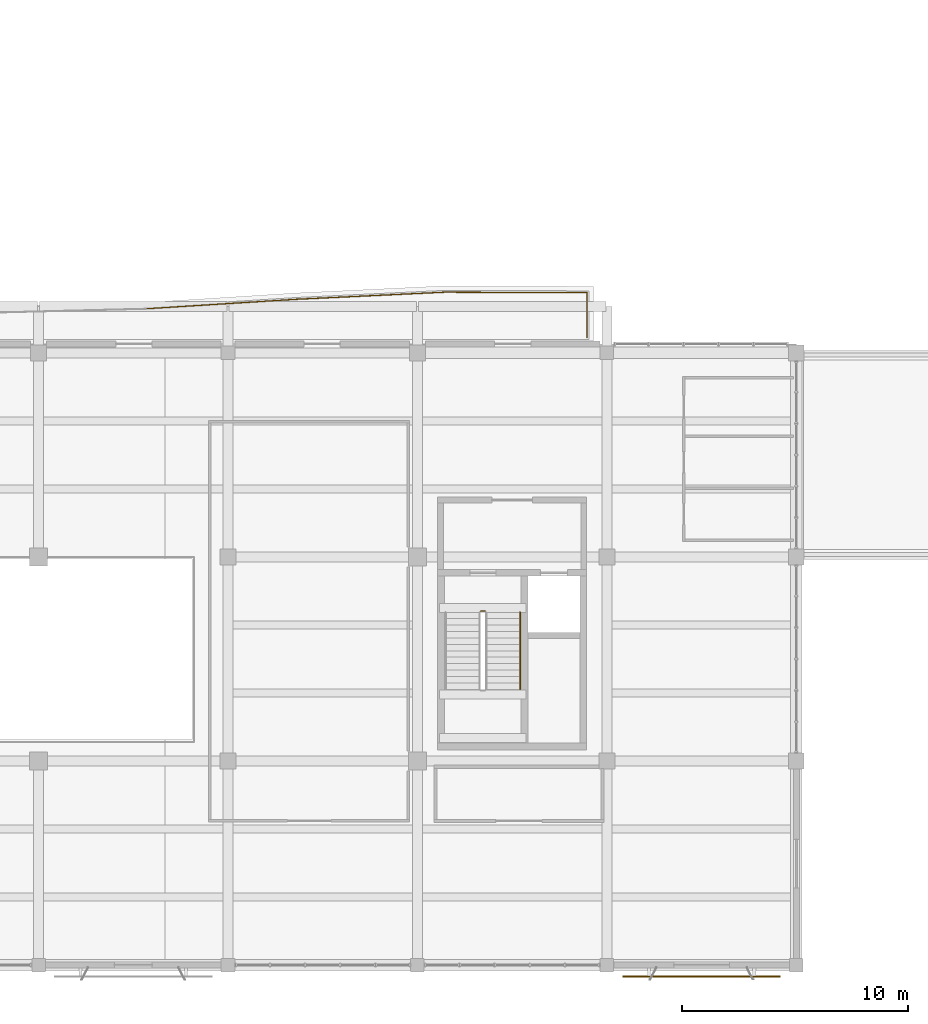
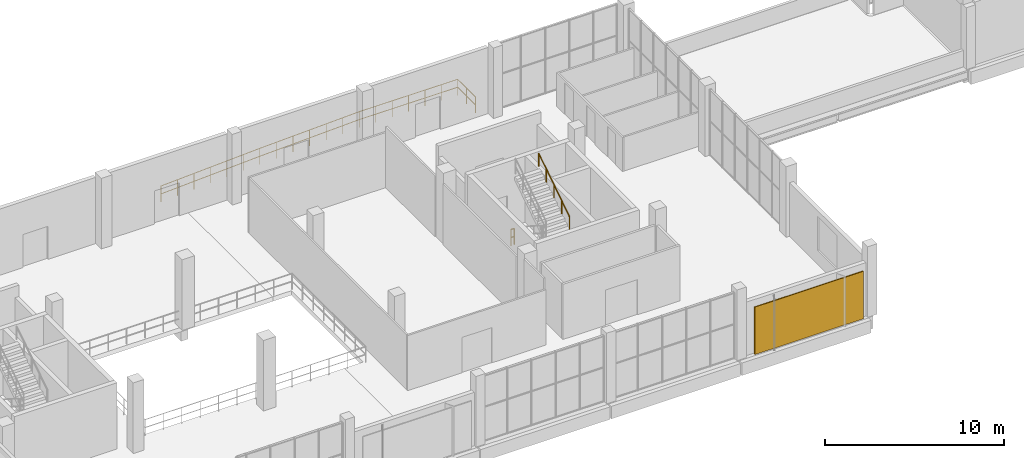
# One storey, part 73 of 80: 6 railings, 1 shading device.
"""IFC4 building model written with IfcOpenShell, lengths in metres."""

from ifc_helpers import new_model, si_unit, direction, frame, origin, origin_2d, place, context, subcontext, project, spatial, rectangle, circle, extrude, material, layer, layer_set, type_object, element, save


model = new_model("IFC4")

# Units and contexts
model_context = context("Model", 3, precision=1e-05, world=origin(), true_north=direction((0.0, 1.0)))
body_context = subcontext(model_context, "Body", "Model", "MODEL_VIEW")
ifc_project = project(units=[si_unit("LENGTHUNIT", "METRE"), si_unit("AREAUNIT", "SQUARE_METRE"), si_unit("VOLUMEUNIT", "CUBIC_METRE"), si_unit("PLANEANGLEUNIT", "RADIAN"), si_unit("MASSUNIT", "GRAM", prefix="KILO")], contexts=[model_context])

# Site, building, storey
site_placement = place(None, origin())
site = spatial("IfcSite", under=ifc_project, at=site_placement, CompositionType="ELEMENT")
building_placement = place(site_placement, origin())
building = spatial("IfcBuilding", under=site, at=building_placement, Name="Khurvash Pelagic Aquarium", CompositionType="ELEMENT")
storey_placement = place(building_placement, frame((0.0, 0.0, 10.800048828125)))
storey = spatial("IfcBuildingStorey", under=building, at=storey_placement, Name="L02", CompositionType="ELEMENT", Elevation=10.800048828125)

# Railings
ifc_material_1 = material(Name="Laminated glass and stainless steel 316", Category="steel")
railing_type_1 = type_object("IfcRailingType", Name="BL-01", PredefinedType="BALUSTRADE", material=ifc_material_1)
railing_1_placement = place(storey_placement, frame((80.41796875, 31.708984375, 0.0)))
element("IfcRailing", 1, at=railing_1_placement, inside=storey, type_object=railing_type_1, Name="L02 Planted Terrace Perimeter Balustrade BL-01 0024", PredefinedType="BALUSTRADE", context=body_context, shape_type="SweptSolid", body=[
    extrude(circle(Radius=0.02392578125, at=origin_2d()), frame((0.0, 0.0, 1.076171875), z_axis=(0.998018230508, 0.062925444564, 0.0), x_axis=(-0.062925444564, 0.998018230508, 0.0)), (0.0, 0.0, 1.0), 6.611328125),
    extrude(circle(Radius=0.02392578125, at=origin_2d()), frame((0.0, 0.0, 0.5380859375), z_axis=(0.998018230508, 0.062925444564, 0.0), x_axis=(-0.062925444564, 0.998018230508, 0.0)), (0.0, 0.0, 1.0), 6.611328125),
    extrude(circle(Radius=0.02099609375, at=origin_2d()), origin(), (0.0, 0.0, 1.0), 1.052001953125),
    extrude(circle(Radius=0.02099609375, at=origin_2d()), frame((1.099609375, 0.0693359375, 0.0)), (0.0, 0.0, 1.0), 1.052001953125),
    extrude(circle(Radius=0.02099609375, at=origin_2d()), frame((2.199462890625, 0.138671875, 0.0)), (0.0, 0.0, 1.0), 1.052001953125),
    extrude(circle(Radius=0.02099609375, at=origin_2d()), frame((3.299072265625, 0.2080078125, 0.0)), (0.0, 0.0, 1.0), 1.052001953125),
    extrude(circle(Radius=0.02099609375, at=origin_2d()), frame((4.398681640625, 0.27734375, 0.0)), (0.0, 0.0, 1.0), 1.052001953125),
    extrude(circle(Radius=0.02099609375, at=origin_2d()), frame((5.49853515625, 0.3466796875, 0.0)), (0.0, 0.0, 1.0), 1.052001953125),
    extrude(circle(Radius=0.02099609375, at=origin_2d()), frame((6.59814453125, 0.416015625, 0.0)), (0.0, 0.0, 1.0), 1.052001953125),
])
railing_2_placement = place(storey_placement, frame((87.01611328125, 32.125, 0.0)))
element("IfcRailing", 2, at=railing_2_placement, inside=storey, type_object=railing_type_1, Name="L02 Planted Terrace Perimeter Balustrade BL-01 0025", PredefinedType="BALUSTRADE", context=body_context, shape_type="SweptSolid", body=[
    extrude(circle(Radius=0.02392578125, at=origin_2d()), frame((0.0, 0.0, 1.076171875), z_axis=(0.998852848905, 0.047885135836, 0.0), x_axis=(-0.047885135836, 0.998852848905, 0.0)), (0.0, 0.0, 1.0), 6.597412109375),
    extrude(circle(Radius=0.02392578125, at=origin_2d()), frame((0.0, 0.0, 0.5380859375), z_axis=(0.998852848905, 0.047885135836, 0.0), x_axis=(-0.047885135836, 0.998852848905, 0.0)), (0.0, 0.0, 1.0), 6.597412109375),
    extrude(circle(Radius=0.02099609375, at=origin_2d()), origin(), (0.0, 0.0, 1.0), 1.052001953125),
    extrude(circle(Radius=0.02099609375, at=origin_2d()), frame((1.098388671875, 0.052734375, 0.0)), (0.0, 0.0, 1.0), 1.052001953125),
    extrude(circle(Radius=0.02099609375, at=origin_2d()), frame((2.196533203125, 0.105224609375, 0.0)), (0.0, 0.0, 1.0), 1.052001953125),
    extrude(circle(Radius=0.02099609375, at=origin_2d()), frame((3.294921875, 0.157958984375, 0.0)), (0.0, 0.0, 1.0), 1.052001953125),
    extrude(circle(Radius=0.02099609375, at=origin_2d()), frame((4.393310546875, 0.210693359375, 0.0)), (0.0, 0.0, 1.0), 1.052001953125),
    extrude(circle(Radius=0.02099609375, at=origin_2d()), frame((5.491455078125, 0.26318359375, 0.0)), (0.0, 0.0, 1.0), 1.052001953125),
    extrude(circle(Radius=0.02099609375, at=origin_2d()), frame((6.58984375, 0.31591796875, 0.0)), (0.0, 0.0, 1.0), 1.052001953125),
])
railing_3_placement = place(storey_placement, frame((93.60595703125, 32.44091796875, 0.0)))
element("IfcRailing", 3, at=railing_3_placement, inside=storey, type_object=railing_type_1, Name="L02 Planted Terrace Perimeter Balustrade BL-01 0026", PredefinedType="BALUSTRADE", context=body_context, shape_type="SweptSolid", body=[
    extrude(circle(Radius=0.02392578125, at=origin_2d()), frame((0.0, 0.0, 1.076171875), z_axis=(0.999994973448, -0.003170659184, 0.0), x_axis=(0.003170659184, 0.999994973448, 0.0)), (0.0, 0.0, 1.0), 6.31396484375),
    extrude(circle(Radius=0.02392578125, at=origin_2d()), frame((0.0, 0.0, 0.5380859375), z_axis=(0.999994973448, -0.003170659184, 0.0), x_axis=(0.003170659184, 0.999994973448, 0.0)), (0.0, 0.0, 1.0), 6.31396484375),
    extrude(circle(Radius=0.02099609375, at=origin_2d()), origin(), (0.0, 0.0, 1.0), 1.052001953125),
    extrude(circle(Radius=0.02099609375, at=origin_2d()), frame((1.05224609375, -0.00341796875, 0.0)), (0.0, 0.0, 1.0), 1.052001953125),
    extrude(circle(Radius=0.02099609375, at=origin_2d()), frame((2.104736328125, -0.006591796875, 0.0)), (0.0, 0.0, 1.0), 1.052001953125),
    extrude(circle(Radius=0.02099609375, at=origin_2d()), frame((3.156982421875, -0.010009765625, 0.0)), (0.0, 0.0, 1.0), 1.052001953125),
    extrude(circle(Radius=0.02099609375, at=origin_2d()), frame((4.209228515625, -0.013427734375, 0.0)), (0.0, 0.0, 1.0), 1.052001953125),
    extrude(circle(Radius=0.02099609375, at=origin_2d()), frame((5.26171875, -0.0166015625, 0.0)), (0.0, 0.0, 1.0), 1.052001953125),
    extrude(circle(Radius=0.02099609375, at=origin_2d()), frame((6.31396484375, -0.02001953125, 0.0)), (0.0, 0.0, 1.0), 1.052001953125),
])
railing_4_placement = place(storey_placement, frame((99.919921875, 32.4208984375, 0.0)))
element("IfcRailing", 4, at=railing_4_placement, inside=storey, type_object=railing_type_1, Name="L02 Planted Terrace Perimeter Balustrade BL-01 0027", PredefinedType="BALUSTRADE", context=body_context, shape_type="SweptSolid", body=[
    extrude(circle(Radius=0.02392578125, at=origin_2d()), frame((0.0, 0.0, 1.076171875), z_axis=(0.0, -1.0, 0.0), x_axis=(1.0, 0.0, 0.0)), (0.0, 0.0, 1.0), 1.990966796875),
    extrude(circle(Radius=0.02392578125, at=origin_2d()), frame((0.0, 0.0, 0.5380859375), z_axis=(0.0, -1.0, 0.0), x_axis=(1.0, 0.0, 0.0)), (0.0, 0.0, 1.0), 1.990966796875),
    extrude(circle(Radius=0.02099609375, at=origin_2d()), origin(), (0.0, 0.0, 1.0), 1.052001953125),
    extrude(circle(Radius=0.02099609375, at=origin_2d()), frame((0.0, -0.99560546875, 0.0)), (0.0, 0.0, 1.0), 1.052001953125),
    extrude(circle(Radius=0.02099609375, at=origin_2d()), frame((0.0, -1.990966796875, 0.0)), (0.0, 0.0, 1.0), 1.052001953125),
])
ifc_material_2 = material(Name="Powder-coated galvanised steel S355J2", Category="steel")
railing_type_2 = type_object("IfcRailingType", Name="GR-01", PredefinedType="GUARDRAIL", material=ifc_material_2)
railing_5_placement = place(storey_placement, frame((95.199951171875, 18.300048828125, 0.0)))
element("IfcRailing", 5, at=railing_5_placement, inside=storey, type_object=railing_type_2, Name="L02 ST-03 stair guard 4", PredefinedType="GUARDRAIL", context=body_context, shape_type="SweptSolid", body=[
    extrude(circle(Radius=0.02392578125, at=origin_2d()), frame((0.0, 0.0, 1.076171875), z_axis=(1.0, 0.0, 0.0), x_axis=(0.0, 1.0, 0.0)), (0.0, 0.0, 1.0), 0.199951171875),
    extrude(circle(Radius=0.02392578125, at=origin_2d()), frame((0.0, 0.0, 0.5380859375), z_axis=(1.0, 0.0, 0.0), x_axis=(0.0, 1.0, 0.0)), (0.0, 0.0, 1.0), 0.199951171875),
    extrude(circle(Radius=0.02099609375, at=origin_2d()), origin(), (0.0, 0.0, 1.0), 1.052001953125),
    extrude(circle(Radius=0.02099609375, at=origin_2d()), frame((0.199951171875, 0.0, 0.0)), (0.0, 0.0, 1.0), 1.052001953125),
])
ifc_material_3 = material(Name="Brushed stainless steel 316", Category="steel")
railing_type_3 = type_object("IfcRailingType", Name="HR-01", PredefinedType="HANDRAIL", material=ifc_material_3)
railing_6_placement = place(storey_placement, frame((96.949951171875, 14.830078125, 2.58447265625)))
element("IfcRailing", 6, at=railing_6_placement, inside=storey, type_object=railing_type_3, Name="L02 ST-03 stair handrail 2", PredefinedType="HANDRAIL", context=body_context, shape_type="SweptSolid", body=[
    extrude(circle(Radius=0.02392578125, at=origin_2d()), frame((0.0, 0.0, 0.8759765625), z_axis=(0.0, 0.839269437812, 0.543715744442), x_axis=(-1.0, 0.0, 0.0)), (0.0, 0.0, 1.0), 4.074951171875),
    extrude(circle(Radius=0.02099609375, at=origin_2d()), origin(), (0.0, 0.0, 1.0), 0.851806640625),
    extrude(circle(Radius=0.02099609375, at=origin_2d()), frame((0.0, 0.85498046875, 0.553955078125)), (0.0, 0.0, 1.0), 0.851806640625),
    extrude(circle(Radius=0.02099609375, at=origin_2d()), frame((0.0, 1.7099609375, 1.10791015625)), (0.0, 0.0, 1.0), 0.851806640625),
    extrude(circle(Radius=0.02099609375, at=origin_2d()), frame((0.0, 2.56494140625, 1.66162109375)), (0.0, 0.0, 1.0), 0.851806640625),
    extrude(circle(Radius=0.02099609375, at=origin_2d()), frame((0.0, 3.419921875, 2.215576171875)), (0.0, 0.0, 1.0), 0.851806640625),
])

# Shading device
ifc_material_4 = material(Name="Perforated anodised aluminium AW-5005", Category="aluminium")
ifc_layer = layer(ifc_material_4, 0.06005859375)
ifc_layer_set = layer_set([ifc_layer], Name="Perforated anodised aluminium AW-5005")
shading_device_type = type_object("IfcShadingDeviceType", Name="SH-JAL", PredefinedType="JALOUSIE", material=ifc_layer_set)
shading_device_placement = place(storey_placement, frame((105.0, 2.090087890625, 0.199951171875), z_axis=(0.0, 0.0, 1.0), x_axis=(1.0, 0.0, 0.0)))
element("IfcShadingDevice", 7, at=shading_device_placement, inside=storey, type_object=shading_device_type, Name="L02 Perforated Aluminium Jali Screen SH-JAL 0016", PredefinedType="JALOUSIE", context=body_context, shape_type="SweptSolid", body=[
    extrude(rectangle(XDim=6.989990234375, YDim=0.06005859375, at=origin_2d()), origin(), (0.0, 0.0, 1.0), 3.22998046875),
])

save(model, "model.ifc")
